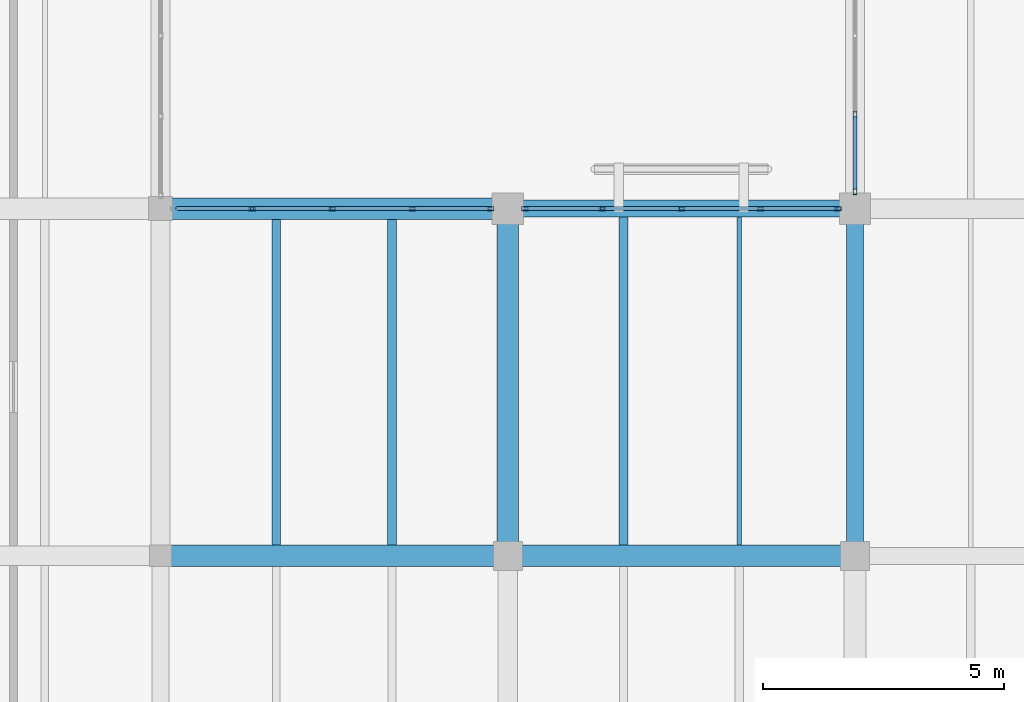
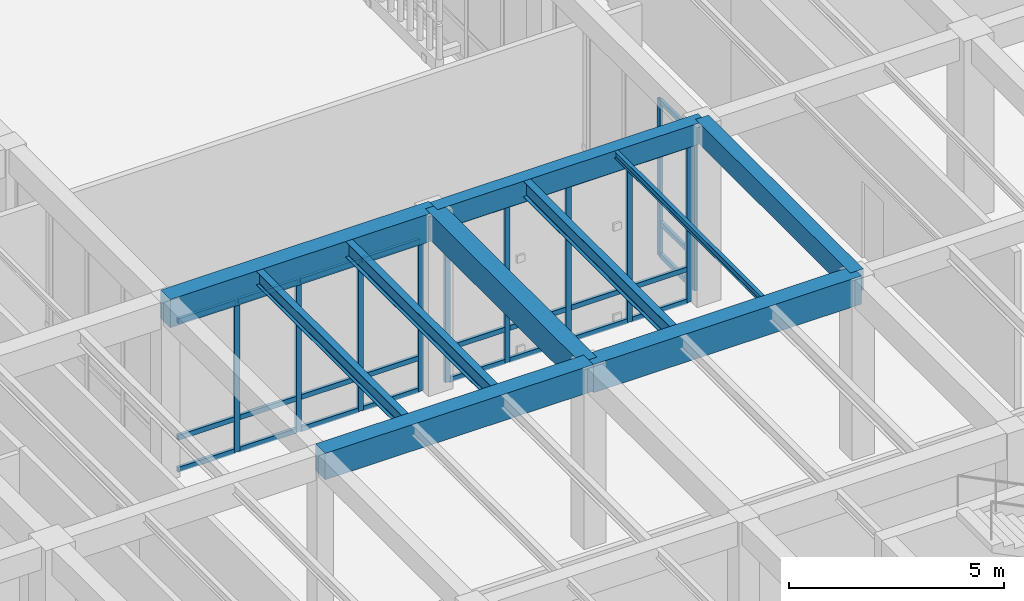
# One storey, part 27 of 169: 38 members, 10 beams, 3 elements without a shape of their own.
"""IFC4 building model written with IfcOpenShell, lengths in metres."""

from ifc_helpers import new_model, si_unit, direction, frame, origin, origin_2d, place, context, subcontext, project, spatial, rectangle, hollow_rectangle, i_section, extrude, material, layer, layer_set, material_profile, profile_set, type_object, element, aggregate, save


model = new_model("IFC4")

# Units and contexts
model_context = context("Model", 3, precision=1e-05, world=origin(), true_north=direction((0.0, 1.0)))
body_context = subcontext(model_context, "Body", "Model", "MODEL_VIEW")
ifc_project = project(units=[si_unit("LENGTHUNIT", "METRE"), si_unit("AREAUNIT", "SQUARE_METRE"), si_unit("VOLUMEUNIT", "CUBIC_METRE"), si_unit("PLANEANGLEUNIT", "RADIAN"), si_unit("MASSUNIT", "GRAM", prefix="KILO")], contexts=[model_context])

# Site, building, storey
site_placement = place(None, origin())
site = spatial("IfcSite", under=ifc_project, at=site_placement, CompositionType="ELEMENT")
building_placement = place(site_placement, origin())
building = spatial("IfcBuilding", under=site, at=building_placement, Name="Mazaris Harbour Polytechnic", CompositionType="ELEMENT")
storey_placement = place(building_placement, origin())
storey = spatial("IfcBuildingStorey", under=building, at=storey_placement, Name="L00", CompositionType="ELEMENT", Elevation=0.0)

# Curtain wall, members
ifc_material_1 = material(Name="Anodised Bronze Aluminium and Low-E Glass", Category="aluminium")
ifc_layer = layer(ifc_material_1, 0.159912109375, Name="Anodised Bronze Aluminium and Low-E Glass")
ifc_layer_set = layer_set([ifc_layer], Name="Anodised Bronze Aluminium and Low-E Glass")
curtain_wall_type = type_object("IfcCurtainWallType", Name="Cloister Court Curtain Wall", PredefinedType="NOTDEFINED", material=ifc_layer_set)
curtain_wall_1_placement = place(storey_placement, origin())
curtain_wall_1 = element("IfcCurtainWall", 1, at=curtain_wall_1_placement, inside=storey, type_object=curtain_wall_type, Name="V4 L00 Curtain Wall 99", PredefinedType="NOTDEFINED")
ifc_material_2 = material(Name="Anodised Bronze Steel S355", Category="steel")
ifc_material_profile_1 = material_profile(ifc_material_2, hollow_rectangle(XDim=0.080078125, YDim=0.139892578125, WallThickness=0.00634765625, at=origin_2d()), Name="RHS 80x140x6.3")
ifc_profile_set_1 = profile_set([ifc_material_profile_1], Name="Anodised Bronze Steel S355")
member_type_1 = type_object("IfcMemberType", Name="Curtain Mullion RHS80x140", PredefinedType="MULLION", material=ifc_profile_set_1)
member_1_placement = place(storey_placement, frame((16.30224609375, 36.0, 0.0), z_axis=(0.0, 0.0, 1.0), x_axis=(0.0, 1.0, 0.0)))
member_1 = element("IfcMember", 2, at=member_1_placement, type_object=member_type_1, Name="CW-02 mullion 2", PredefinedType="MULLION", context=body_context, shape_type="SweptSolid", body=[
    extrude(hollow_rectangle(XDim=0.080078125, YDim=0.139892578125, WallThickness=0.00634765625, at=origin_2d()), origin(), (0.0, 0.0, 1.0), 4.2900390625),
])
member_2_placement = place(storey_placement, frame((17.96240234375, 36.0, 0.0), z_axis=(0.0, 0.0, 1.0), x_axis=(0.0, 1.0, 0.0)))
member_2 = element("IfcMember", 3, at=member_2_placement, type_object=member_type_1, Name="CW-02 mullion 3", PredefinedType="MULLION", context=body_context, shape_type="SweptSolid", body=[
    extrude(hollow_rectangle(XDim=0.080078125, YDim=0.139892578125, WallThickness=0.00634765625, at=origin_2d()), origin(), (0.0, 0.0, 1.0), 4.2900390625),
])
member_3_placement = place(storey_placement, frame((19.622802734375, 36.0, 0.0), z_axis=(0.0, 0.0, 1.0), x_axis=(0.0, 1.0, 0.0)))
member_3 = element("IfcMember", 4, at=member_3_placement, type_object=member_type_1, Name="CW-02 mullion 4", PredefinedType="MULLION", context=body_context, shape_type="SweptSolid", body=[
    extrude(hollow_rectangle(XDim=0.080078125, YDim=0.139892578125, WallThickness=0.00634765625, at=origin_2d()), origin(), (0.0, 0.0, 1.0), 4.2900390625),
])
member_4_placement = place(storey_placement, frame((21.242919921875, 36.0, 0.0), z_axis=(0.0, 0.0, 1.0), x_axis=(0.0, 1.0, 0.0)))
member_4 = element("IfcMember", 5, at=member_4_placement, type_object=member_type_1, Name="CW-02 mullion 5", PredefinedType="MULLION", context=body_context, shape_type="SweptSolid", body=[
    extrude(hollow_rectangle(XDim=0.080078125, YDim=0.139892578125, WallThickness=0.00634765625, at=origin_2d()), origin(), (0.0, 0.0, 1.0), 4.2900390625),
])

curtain_wall_2_placement = place(storey_placement, origin())
curtain_wall_2 = element("IfcCurtainWall", 6, at=curtain_wall_2_placement, inside=storey, type_object=curtain_wall_type, Name="V4 L00 Curtain Wall 100", PredefinedType="NOTDEFINED")
member_5_placement = place(storey_placement, frame((21.95703125, 36.0, 0.0), z_axis=(0.0, 0.0, 1.0), x_axis=(0.0, 1.0, 0.0)))
member_5 = element("IfcMember", 7, at=member_5_placement, type_object=member_type_1, Name="CW-02 mullion 1", PredefinedType="MULLION", context=body_context, shape_type="SweptSolid", body=[
    extrude(hollow_rectangle(XDim=0.080078125, YDim=0.139892578125, WallThickness=0.00634765625, at=origin_2d()), origin(), (0.0, 0.0, 1.0), 4.489990234375),
])
member_6_placement = place(storey_placement, frame((23.55859375, 36.0, 0.0), z_axis=(0.0, 0.0, 1.0), x_axis=(0.0, 1.0, 0.0)))
member_6 = element("IfcMember", 8, at=member_6_placement, type_object=member_type_1, Name="CW-02 mullion 2", PredefinedType="MULLION", context=body_context, shape_type="SweptSolid", body=[
    extrude(hollow_rectangle(XDim=0.080078125, YDim=0.139892578125, WallThickness=0.00634765625, at=origin_2d()), origin(), (0.0, 0.0, 1.0), 4.489990234375),
])
member_7_placement = place(storey_placement, frame((25.199951171875, 36.0, 0.0), z_axis=(0.0, 0.0, 1.0), x_axis=(0.0, 1.0, 0.0)))
member_7 = element("IfcMember", 9, at=member_7_placement, type_object=member_type_1, Name="CW-02 mullion 3", PredefinedType="MULLION", context=body_context, shape_type="SweptSolid", body=[
    extrude(hollow_rectangle(XDim=0.080078125, YDim=0.139892578125, WallThickness=0.00634765625, at=origin_2d()), origin(), (0.0, 0.0, 1.0), 4.489990234375),
])
member_8_placement = place(storey_placement, frame((26.841552734375, 36.0, 0.0), z_axis=(0.0, 0.0, 1.0), x_axis=(0.0, 1.0, 0.0)))
member_8 = element("IfcMember", 10, at=member_8_placement, type_object=member_type_1, Name="CW-02 mullion 4", PredefinedType="MULLION", context=body_context, shape_type="SweptSolid", body=[
    extrude(hollow_rectangle(XDim=0.080078125, YDim=0.139892578125, WallThickness=0.00634765625, at=origin_2d()), origin(), (0.0, 0.0, 1.0), 4.489990234375),
])
member_9_placement = place(storey_placement, frame((28.443115234375, 36.0, 0.0), z_axis=(0.0, 0.0, 1.0), x_axis=(0.0, 1.0, 0.0)))
member_9 = element("IfcMember", 11, at=member_9_placement, type_object=member_type_1, Name="CW-02 mullion 5", PredefinedType="MULLION", context=body_context, shape_type="SweptSolid", body=[
    extrude(hollow_rectangle(XDim=0.080078125, YDim=0.139892578125, WallThickness=0.00634765625, at=origin_2d()), origin(), (0.0, 0.0, 1.0), 4.489990234375),
])

curtain_wall_3_placement = place(storey_placement, origin())
curtain_wall_3 = element("IfcCurtainWall", 12, at=curtain_wall_3_placement, inside=storey, type_object=curtain_wall_type, Name="V4 L00 Curtain Wall 107", PredefinedType="NOTDEFINED")
member_10_placement = place(storey_placement, frame((28.800048828125, 37.9521484375, 0.0), z_axis=(0.0, 0.0, 1.0), x_axis=(1.0, 0.0, 0.0)))
member_10 = element("IfcMember", 13, at=member_10_placement, type_object=member_type_1, Name="CW-02 mullion 4", PredefinedType="MULLION", context=body_context, shape_type="SweptSolid", body=[
    extrude(hollow_rectangle(XDim=0.080078125, YDim=0.139892578125, WallThickness=0.00634765625, at=origin_2d()), origin(), (0.0, 0.0, 1.0), 4.43994140625),
])
member_11_placement = place(storey_placement, frame((28.800048828125, 36.35693359375, 0.0), z_axis=(0.0, 0.0, 1.0), x_axis=(1.0, 0.0, 0.0)))
member_11 = element("IfcMember", 14, at=member_11_placement, type_object=member_type_1, Name="CW-02 mullion 5", PredefinedType="MULLION", context=body_context, shape_type="SweptSolid", body=[
    extrude(hollow_rectangle(XDim=0.080078125, YDim=0.139892578125, WallThickness=0.00634765625, at=origin_2d()), origin(), (0.0, 0.0, 1.0), 4.43994140625),
])

# Member
ifc_material_3 = material(Name="Anodised Bronze Steel S355", Category="steel")
ifc_material_profile_2 = material_profile(ifc_material_3, hollow_rectangle(XDim=0.080078125, YDim=0.139892578125, WallThickness=0.00634765625, at=origin_2d()), Name="RHS 80x140x6.3")
ifc_profile_set_2 = profile_set([ifc_material_profile_2], Name="Anodised Bronze Steel S355")
member_type_2 = type_object("IfcMemberType", Name="Curtain Transom RHS80x140", PredefinedType="USERDEFINED", material=ifc_profile_set_2)
member_12_placement = place(storey_placement, frame((14.721923828125, 36.0, 0.0400390625), z_axis=(1.0, 0.0, 0.0), x_axis=(0.0, 1.0, 0.0)))
member_12 = element("IfcMember", 15, at=member_12_placement, type_object=member_type_2, Name="CW-02 transom 1.1", ObjectType="TRANSOM", PredefinedType="USERDEFINED", context=body_context, shape_type="SweptSolid", body=[
    extrude(hollow_rectangle(XDim=0.080078125, YDim=0.139892578125, WallThickness=0.00634765625, at=origin_2d()), origin(), (0.0, 0.0, 1.0), 1.540283203125),
])

member_13_placement = place(storey_placement, frame((14.721923828125, 36.0, 0.949951171875), z_axis=(1.0, 0.0, 0.0), x_axis=(0.0, 1.0, 0.0)))
member_13 = element("IfcMember", 16, at=member_13_placement, type_object=member_type_2, Name="CW-02 transom 1.2", ObjectType="TRANSOM", PredefinedType="USERDEFINED", context=body_context, shape_type="SweptSolid", body=[
    extrude(hollow_rectangle(XDim=0.080078125, YDim=0.139892578125, WallThickness=0.00634765625, at=origin_2d()), origin(), (0.0, 0.0, 1.0), 1.540283203125),
])

member_14_placement = place(storey_placement, frame((14.721923828125, 36.0, 4.25), z_axis=(1.0, 0.0, 0.0), x_axis=(0.0, 1.0, 0.0)))
member_14 = element("IfcMember", 17, at=member_14_placement, type_object=member_type_2, Name="CW-02 transom 1.3", ObjectType="TRANSOM", PredefinedType="USERDEFINED", context=body_context, shape_type="SweptSolid", body=[
    extrude(hollow_rectangle(XDim=0.080078125, YDim=0.139892578125, WallThickness=0.00634765625, at=origin_2d()), origin(), (0.0, 0.0, 1.0), 1.540283203125),
])

member_15_placement = place(storey_placement, frame((16.34228515625, 36.0, 0.0400390625), z_axis=(1.0, 0.0, 0.0), x_axis=(0.0, 1.0, 0.0)))
member_15 = element("IfcMember", 18, at=member_15_placement, type_object=member_type_2, Name="CW-02 transom 2.1", ObjectType="TRANSOM", PredefinedType="USERDEFINED", context=body_context, shape_type="SweptSolid", body=[
    extrude(hollow_rectangle(XDim=0.080078125, YDim=0.139892578125, WallThickness=0.00634765625, at=origin_2d()), origin(), (0.0, 0.0, 1.0), 1.580322265625),
])

member_16_placement = place(storey_placement, frame((16.34228515625, 36.0, 0.949951171875), z_axis=(1.0, 0.0, 0.0), x_axis=(0.0, 1.0, 0.0)))
member_16 = element("IfcMember", 19, at=member_16_placement, type_object=member_type_2, Name="CW-02 transom 2.2", ObjectType="TRANSOM", PredefinedType="USERDEFINED", context=body_context, shape_type="SweptSolid", body=[
    extrude(hollow_rectangle(XDim=0.080078125, YDim=0.139892578125, WallThickness=0.00634765625, at=origin_2d()), origin(), (0.0, 0.0, 1.0), 1.580322265625),
])

member_17_placement = place(storey_placement, frame((16.34228515625, 36.0, 4.25), z_axis=(1.0, 0.0, 0.0), x_axis=(0.0, 1.0, 0.0)))
member_17 = element("IfcMember", 20, at=member_17_placement, type_object=member_type_2, Name="CW-02 transom 2.3", ObjectType="TRANSOM", PredefinedType="USERDEFINED", context=body_context, shape_type="SweptSolid", body=[
    extrude(hollow_rectangle(XDim=0.080078125, YDim=0.139892578125, WallThickness=0.00634765625, at=origin_2d()), origin(), (0.0, 0.0, 1.0), 1.580322265625),
])

member_18_placement = place(storey_placement, frame((18.00244140625, 36.0, 0.0400390625), z_axis=(1.0, 0.0, 0.0), x_axis=(0.0, 1.0, 0.0)))
member_18 = element("IfcMember", 21, at=member_18_placement, type_object=member_type_2, Name="CW-02 transom 3.1", ObjectType="TRANSOM", PredefinedType="USERDEFINED", context=body_context, shape_type="SweptSolid", body=[
    extrude(hollow_rectangle(XDim=0.080078125, YDim=0.139892578125, WallThickness=0.00634765625, at=origin_2d()), origin(), (0.0, 0.0, 1.0), 1.580322265625),
])

member_19_placement = place(storey_placement, frame((18.00244140625, 36.0, 0.949951171875), z_axis=(1.0, 0.0, 0.0), x_axis=(0.0, 1.0, 0.0)))
member_19 = element("IfcMember", 22, at=member_19_placement, type_object=member_type_2, Name="CW-02 transom 3.2", ObjectType="TRANSOM", PredefinedType="USERDEFINED", context=body_context, shape_type="SweptSolid", body=[
    extrude(hollow_rectangle(XDim=0.080078125, YDim=0.139892578125, WallThickness=0.00634765625, at=origin_2d()), origin(), (0.0, 0.0, 1.0), 1.580322265625),
])

member_20_placement = place(storey_placement, frame((18.00244140625, 36.0, 4.25), z_axis=(1.0, 0.0, 0.0), x_axis=(0.0, 1.0, 0.0)))
member_20 = element("IfcMember", 23, at=member_20_placement, type_object=member_type_2, Name="CW-02 transom 3.3", ObjectType="TRANSOM", PredefinedType="USERDEFINED", context=body_context, shape_type="SweptSolid", body=[
    extrude(hollow_rectangle(XDim=0.080078125, YDim=0.139892578125, WallThickness=0.00634765625, at=origin_2d()), origin(), (0.0, 0.0, 1.0), 1.580322265625),
])

member_21_placement = place(storey_placement, frame((19.662841796875, 36.0, 0.0400390625), z_axis=(1.0, 0.0, 0.0), x_axis=(0.0, 1.0, 0.0)))
member_21 = element("IfcMember", 24, at=member_21_placement, type_object=member_type_2, Name="CW-02 transom 4.1", ObjectType="TRANSOM", PredefinedType="USERDEFINED", context=body_context, shape_type="SweptSolid", body=[
    extrude(hollow_rectangle(XDim=0.080078125, YDim=0.139892578125, WallThickness=0.00634765625, at=origin_2d()), origin(), (0.0, 0.0, 1.0), 1.5400390625),
])

member_22_placement = place(storey_placement, frame((19.662841796875, 36.0, 0.949951171875), z_axis=(1.0, 0.0, 0.0), x_axis=(0.0, 1.0, 0.0)))
member_22 = element("IfcMember", 25, at=member_22_placement, type_object=member_type_2, Name="CW-02 transom 4.2", ObjectType="TRANSOM", PredefinedType="USERDEFINED", context=body_context, shape_type="SweptSolid", body=[
    extrude(hollow_rectangle(XDim=0.080078125, YDim=0.139892578125, WallThickness=0.00634765625, at=origin_2d()), origin(), (0.0, 0.0, 1.0), 1.5400390625),
])

member_23_placement = place(storey_placement, frame((19.662841796875, 36.0, 4.25), z_axis=(1.0, 0.0, 0.0), x_axis=(0.0, 1.0, 0.0)))
member_23 = element("IfcMember", 26, at=member_23_placement, type_object=member_type_2, Name="CW-02 transom 4.3", ObjectType="TRANSOM", PredefinedType="USERDEFINED", context=body_context, shape_type="SweptSolid", body=[
    extrude(hollow_rectangle(XDim=0.080078125, YDim=0.139892578125, WallThickness=0.00634765625, at=origin_2d()), origin(), (0.0, 0.0, 1.0), 1.5400390625),
])

aggregate(curtain_wall_1, [member_1, member_2, member_3, member_4, member_12, member_13, member_14, member_15, member_16, member_17, member_18, member_19, member_20, member_21, member_22, member_23])

member_24_placement = place(storey_placement, frame((21.9970703125, 36.0, 0.0400390625), z_axis=(1.0, 0.0, 0.0), x_axis=(0.0, 1.0, 0.0)))
member_24 = element("IfcMember", 27, at=member_24_placement, type_object=member_type_2, Name="CW-02 transom 1.1", ObjectType="TRANSOM", PredefinedType="USERDEFINED", context=body_context, shape_type="SweptSolid", body=[
    extrude(hollow_rectangle(XDim=0.080078125, YDim=0.139892578125, WallThickness=0.00634765625, at=origin_2d()), origin(), (0.0, 0.0, 1.0), 1.521484375),
])

member_25_placement = place(storey_placement, frame((21.9970703125, 36.0, 0.949951171875), z_axis=(1.0, 0.0, 0.0), x_axis=(0.0, 1.0, 0.0)))
member_25 = element("IfcMember", 28, at=member_25_placement, type_object=member_type_2, Name="CW-02 transom 1.2", ObjectType="TRANSOM", PredefinedType="USERDEFINED", context=body_context, shape_type="SweptSolid", body=[
    extrude(hollow_rectangle(XDim=0.080078125, YDim=0.139892578125, WallThickness=0.00634765625, at=origin_2d()), origin(), (0.0, 0.0, 1.0), 1.521484375),
])

member_26_placement = place(storey_placement, frame((21.9970703125, 36.0, 4.449951171875), z_axis=(1.0, 0.0, 0.0), x_axis=(0.0, 1.0, 0.0)))
member_26 = element("IfcMember", 29, at=member_26_placement, type_object=member_type_2, Name="CW-02 transom 1.3", ObjectType="TRANSOM", PredefinedType="USERDEFINED", context=body_context, shape_type="SweptSolid", body=[
    extrude(hollow_rectangle(XDim=0.080078125, YDim=0.139892578125, WallThickness=0.00634765625, at=origin_2d()), origin(), (0.0, 0.0, 1.0), 1.521484375),
])

member_27_placement = place(storey_placement, frame((23.598388671875, 36.0, 0.0400390625), z_axis=(1.0, 0.0, 0.0), x_axis=(0.0, 1.0, 0.0)))
member_27 = element("IfcMember", 30, at=member_27_placement, type_object=member_type_2, Name="CW-02 transom 2.1", ObjectType="TRANSOM", PredefinedType="USERDEFINED", context=body_context, shape_type="SweptSolid", body=[
    extrude(hollow_rectangle(XDim=0.080078125, YDim=0.139892578125, WallThickness=0.00634765625, at=origin_2d()), origin(), (0.0, 0.0, 1.0), 1.5615234375),
])

member_28_placement = place(storey_placement, frame((23.598388671875, 36.0, 0.949951171875), z_axis=(1.0, 0.0, 0.0), x_axis=(0.0, 1.0, 0.0)))
member_28 = element("IfcMember", 31, at=member_28_placement, type_object=member_type_2, Name="CW-02 transom 2.2", ObjectType="TRANSOM", PredefinedType="USERDEFINED", context=body_context, shape_type="SweptSolid", body=[
    extrude(hollow_rectangle(XDim=0.080078125, YDim=0.139892578125, WallThickness=0.00634765625, at=origin_2d()), origin(), (0.0, 0.0, 1.0), 1.5615234375),
])

member_29_placement = place(storey_placement, frame((23.598388671875, 36.0, 4.449951171875), z_axis=(1.0, 0.0, 0.0), x_axis=(0.0, 1.0, 0.0)))
member_29 = element("IfcMember", 32, at=member_29_placement, type_object=member_type_2, Name="CW-02 transom 2.3", ObjectType="TRANSOM", PredefinedType="USERDEFINED", context=body_context, shape_type="SweptSolid", body=[
    extrude(hollow_rectangle(XDim=0.080078125, YDim=0.139892578125, WallThickness=0.00634765625, at=origin_2d()), origin(), (0.0, 0.0, 1.0), 1.5615234375),
])

member_30_placement = place(storey_placement, frame((25.239990234375, 36.0, 0.0400390625), z_axis=(1.0, 0.0, 0.0), x_axis=(0.0, 1.0, 0.0)))
member_30 = element("IfcMember", 33, at=member_30_placement, type_object=member_type_2, Name="CW-02 transom 3.1", ObjectType="TRANSOM", PredefinedType="USERDEFINED", context=body_context, shape_type="SweptSolid", body=[
    extrude(hollow_rectangle(XDim=0.080078125, YDim=0.139892578125, WallThickness=0.00634765625, at=origin_2d()), origin(), (0.0, 0.0, 1.0), 1.5615234375),
])

member_31_placement = place(storey_placement, frame((25.239990234375, 36.0, 0.949951171875), z_axis=(1.0, 0.0, 0.0), x_axis=(0.0, 1.0, 0.0)))
member_31 = element("IfcMember", 34, at=member_31_placement, type_object=member_type_2, Name="CW-02 transom 3.2", ObjectType="TRANSOM", PredefinedType="USERDEFINED", context=body_context, shape_type="SweptSolid", body=[
    extrude(hollow_rectangle(XDim=0.080078125, YDim=0.139892578125, WallThickness=0.00634765625, at=origin_2d()), origin(), (0.0, 0.0, 1.0), 1.5615234375),
])

member_32_placement = place(storey_placement, frame((25.239990234375, 36.0, 4.449951171875), z_axis=(1.0, 0.0, 0.0), x_axis=(0.0, 1.0, 0.0)))
member_32 = element("IfcMember", 35, at=member_32_placement, type_object=member_type_2, Name="CW-02 transom 3.3", ObjectType="TRANSOM", PredefinedType="USERDEFINED", context=body_context, shape_type="SweptSolid", body=[
    extrude(hollow_rectangle(XDim=0.080078125, YDim=0.139892578125, WallThickness=0.00634765625, at=origin_2d()), origin(), (0.0, 0.0, 1.0), 1.5615234375),
])

member_33_placement = place(storey_placement, frame((26.881591796875, 36.0, 0.0400390625), z_axis=(1.0, 0.0, 0.0), x_axis=(0.0, 1.0, 0.0)))
member_33 = element("IfcMember", 36, at=member_33_placement, type_object=member_type_2, Name="CW-02 transom 4.1", ObjectType="TRANSOM", PredefinedType="USERDEFINED", context=body_context, shape_type="SweptSolid", body=[
    extrude(hollow_rectangle(XDim=0.080078125, YDim=0.139892578125, WallThickness=0.00634765625, at=origin_2d()), origin(), (0.0, 0.0, 1.0), 1.521484375),
])

member_34_placement = place(storey_placement, frame((26.881591796875, 36.0, 0.949951171875), z_axis=(1.0, 0.0, 0.0), x_axis=(0.0, 1.0, 0.0)))
member_34 = element("IfcMember", 37, at=member_34_placement, type_object=member_type_2, Name="CW-02 transom 4.2", ObjectType="TRANSOM", PredefinedType="USERDEFINED", context=body_context, shape_type="SweptSolid", body=[
    extrude(hollow_rectangle(XDim=0.080078125, YDim=0.139892578125, WallThickness=0.00634765625, at=origin_2d()), origin(), (0.0, 0.0, 1.0), 1.521484375),
])

member_35_placement = place(storey_placement, frame((26.881591796875, 36.0, 4.449951171875), z_axis=(1.0, 0.0, 0.0), x_axis=(0.0, 1.0, 0.0)))
member_35 = element("IfcMember", 38, at=member_35_placement, type_object=member_type_2, Name="CW-02 transom 4.3", ObjectType="TRANSOM", PredefinedType="USERDEFINED", context=body_context, shape_type="SweptSolid", body=[
    extrude(hollow_rectangle(XDim=0.080078125, YDim=0.139892578125, WallThickness=0.00634765625, at=origin_2d()), origin(), (0.0, 0.0, 1.0), 1.521484375),
])

aggregate(curtain_wall_2, [member_5, member_6, member_7, member_8, member_9, member_24, member_25, member_26, member_27, member_28, member_29, member_30, member_31, member_32, member_33, member_34, member_35])

member_36_placement = place(storey_placement, frame((28.800048828125, 37.912353515625, 0.0400390625), z_axis=(0.0, -1.0, 0.0), x_axis=(1.0, 0.0, 0.0)))
member_36 = element("IfcMember", 39, at=member_36_placement, type_object=member_type_2, Name="CW-02 transom 4.1", ObjectType="TRANSOM", PredefinedType="USERDEFINED", context=body_context, shape_type="SweptSolid", body=[
    extrude(hollow_rectangle(XDim=0.080078125, YDim=0.139892578125, WallThickness=0.00634765625, at=origin_2d()), origin(), (0.0, 0.0, 1.0), 1.515380859375),
])

member_37_placement = place(storey_placement, frame((28.800048828125, 37.912353515625, 0.949951171875), z_axis=(0.0, -1.0, 0.0), x_axis=(1.0, 0.0, 0.0)))
member_37 = element("IfcMember", 40, at=member_37_placement, type_object=member_type_2, Name="CW-02 transom 4.2", ObjectType="TRANSOM", PredefinedType="USERDEFINED", context=body_context, shape_type="SweptSolid", body=[
    extrude(hollow_rectangle(XDim=0.080078125, YDim=0.139892578125, WallThickness=0.00634765625, at=origin_2d()), origin(), (0.0, 0.0, 1.0), 1.515380859375),
])

member_38_placement = place(storey_placement, frame((28.800048828125, 37.912353515625, 4.39990234375), z_axis=(0.0, -1.0, 0.0), x_axis=(1.0, 0.0, 0.0)))
member_38 = element("IfcMember", 41, at=member_38_placement, type_object=member_type_2, Name="CW-02 transom 4.3", ObjectType="TRANSOM", PredefinedType="USERDEFINED", context=body_context, shape_type="SweptSolid", body=[
    extrude(hollow_rectangle(XDim=0.080078125, YDim=0.139892578125, WallThickness=0.00634765625, at=origin_2d()), origin(), (0.0, 0.0, 1.0), 1.515380859375),
])

aggregate(curtain_wall_3, [member_10, member_11, member_36, member_37, member_38])

# Beams
ifc_material_4 = material(Name="Concrete C35/45", Category="concrete")
ifc_material_profile_3 = material_profile(ifc_material_4, rectangle(XDim=0.35009765625, YDim=0.60009765625, at=origin_2d()), Name="RECT350x600")
ifc_profile_set_3 = profile_set([ifc_material_profile_3], Name="Concrete C35/45")
beam_type_1 = type_object("IfcBeamType", Name="RC Girder 350x600", PredefinedType="BEAM", material=ifc_profile_set_3)
for number, where, z_axis, x_axis, name in (
    (42, (21.60009765625, 36.0, 4.800048828125), (1.0, 0.0, 0.0), (0.0, 1.0, 0.0), "V4 L00 Girder 1380"),
    (43, (28.800048828125, 28.800048828125, 4.800048828125), (0.0, 1.0, 0.0), (-1.0, 0.0, 0.0), "V4 L00 Tie Girder 1470"),
):
    element("IfcBeam", number, at=place(storey_placement, frame(where, z_axis=z_axis, x_axis=x_axis)), inside=storey, type_object=beam_type_1, Name=name, PredefinedType="BEAM", context=body_context, shape_type="SweptSolid", body=[
        extrude(rectangle(XDim=0.35009765625, YDim=0.60009765625, at=origin_2d()), origin(), (0.0, 0.0, 1.0), 7.199951171875),
    ])
ifc_material_5 = material(Name="Concrete C40/50", Category="concrete")
ifc_material_profile_4 = material_profile(ifc_material_5, rectangle(XDim=0.449951171875, YDim=0.75, at=origin_2d()), Name="RECT450x750")
ifc_profile_set_4 = profile_set([ifc_material_profile_4], Name="Concrete C40/50")
beam_type_2 = type_object("IfcBeamType", Name="RC Girder 450x750", PredefinedType="BEAM", material=ifc_profile_set_4)
beam_1_placement = place(storey_placement, frame((14.39990234375, 28.800048828125, 4.72509765625), z_axis=(1.0, 0.0, 0.0), x_axis=(0.0, 1.0, 0.0)))
element("IfcBeam", 44, at=beam_1_placement, inside=storey, type_object=beam_type_2, Name="V4 L00 Girder 1373", PredefinedType="BEAM", context=body_context, shape_type="SweptSolid", body=[
    extrude(rectangle(XDim=0.449951171875, YDim=0.75, at=origin_2d()), origin(), (0.0, 0.0, 1.0), 7.2001953125),
])
beam_2_placement = place(storey_placement, frame((21.60009765625, 28.800048828125, 4.72509765625), z_axis=(0.0, 1.0, 0.0), x_axis=(-1.0, 0.0, 0.0)))
element("IfcBeam", 45, at=beam_2_placement, inside=storey, type_object=beam_type_2, Name="V4 L00 Tie Girder 1463", PredefinedType="BEAM", context=body_context, shape_type="SweptSolid", body=[
    extrude(rectangle(XDim=0.449951171875, YDim=0.75, at=origin_2d()), origin(), (0.0, 0.0, 1.0), 7.199951171875),
])
ifc_material_6 = material(Name="Concrete C40/50", Category="concrete")
ifc_material_profile_5 = material_profile(ifc_material_6, rectangle(XDim=0.449951171875, YDim=0.800048828125, at=origin_2d()), Name="RECT450x800")
ifc_profile_set_5 = profile_set([ifc_material_profile_5], Name="Concrete C40/50")
beam_type_3 = type_object("IfcBeamType", Name="RC Girder 450x800", PredefinedType="BEAM", material=ifc_profile_set_5)
beam_3_placement = place(storey_placement, frame((21.60009765625, 28.800048828125, 4.699951171875), z_axis=(1.0, 0.0, 0.0), x_axis=(0.0, 1.0, 0.0)))
element("IfcBeam", 46, at=beam_3_placement, inside=storey, type_object=beam_type_3, Name="V4 L00 Girder 1374", PredefinedType="BEAM", context=body_context, shape_type="SweptSolid", body=[
    extrude(rectangle(XDim=0.449951171875, YDim=0.800048828125, at=origin_2d()), origin(), (0.0, 0.0, 1.0), 7.199951171875),
])
beam_4_placement = place(storey_placement, frame((14.39990234375, 36.0, 4.699951171875), z_axis=(1.0, 0.0, 0.0), x_axis=(0.0, 1.0, 0.0)))
element("IfcBeam", 47, at=beam_4_placement, inside=storey, type_object=beam_type_3, Name="V4 L00 Girder 1379", PredefinedType="BEAM", context=body_context, shape_type="SweptSolid", body=[
    extrude(rectangle(XDim=0.449951171875, YDim=0.800048828125, at=origin_2d()), origin(), (0.0, 0.0, 1.0), 7.2001953125),
])
ifc_material_7 = material(Name="Steel S355", Category="steel")
ifc_material_profile_6 = material_profile(ifc_material_7, i_section(OverallWidth=0.10009765625, OverallDepth=0.199951171875, WebThickness=0.005615234375, FlangeThickness=0.008544921875, FilletRadius=0.011962890625, at=origin_2d()), Name="IPE 200")
ifc_profile_set_6 = profile_set([ifc_material_profile_6], Name="Steel S355")
beam_type_4 = type_object("IfcBeamType", Name="Steel Joist IPE200", PredefinedType="JOIST", material=ifc_profile_set_6)
beam_5_placement = place(storey_placement, frame((26.39990234375, 29.02490234375, 5.0), z_axis=(0.0, 1.0, 0.0), x_axis=(-1.0, 0.0, 0.0)))
element("IfcBeam", 48, at=beam_5_placement, inside=storey, type_object=beam_type_4, Name="V4 L00 Floor Joist 1568", PredefinedType="JOIST", context=body_context, shape_type="SweptSolid", body=[
    extrude(i_section(OverallWidth=0.10009765625, OverallDepth=0.199951171875, WebThickness=0.005615234375, FlangeThickness=0.008544921875, FilletRadius=0.011962890625, at=origin_2d()), origin(), (0.0, 0.0, 1.0), 6.800048828125),
])
ifc_material_8 = material(Name="Steel S355", Category="steel")
ifc_material_profile_7 = material_profile(ifc_material_8, i_section(OverallWidth=0.179931640625, OverallDepth=0.39990234375, WebThickness=0.008544921875, FlangeThickness=0.013427734375, FilletRadius=0.02099609375, at=origin_2d()), Name="IPE 400")
ifc_profile_set_7 = profile_set([ifc_material_profile_7], Name="Steel S355")
beam_type_5 = type_object("IfcBeamType", Name="Steel Joist IPE400", PredefinedType="JOIST", material=ifc_profile_set_7)
beam_6_placement = place(storey_placement, frame((16.800048828125, 29.02490234375, 4.89990234375), z_axis=(0.0, 1.0, 0.0), x_axis=(-1.0, 0.0, 0.0)))
element("IfcBeam", 49, at=beam_6_placement, inside=storey, type_object=beam_type_5, Name="V4 L00 Floor Joist 1552", PredefinedType="JOIST", context=body_context, shape_type="SweptSolid", body=[
    extrude(i_section(OverallWidth=0.179931640625, OverallDepth=0.39990234375, WebThickness=0.008544921875, FlangeThickness=0.013427734375, FilletRadius=0.02099609375, at=origin_2d()), origin(), (0.0, 0.0, 1.0), 6.75),
])
ifc_material_9 = material(Name="Steel S355", Category="steel")
ifc_material_profile_8 = material_profile(ifc_material_9, i_section(OverallWidth=0.18994140625, OverallDepth=0.449951171875, WebThickness=0.009521484375, FlangeThickness=0.0146484375, FilletRadius=0.02099609375, at=origin_2d()), Name="IPE 450")
ifc_profile_set_8 = profile_set([ifc_material_profile_8], Name="Steel S355")
beam_type_6 = type_object("IfcBeamType", Name="Steel Joist IPE450", PredefinedType="JOIST", material=ifc_profile_set_8)
beam_7_placement = place(storey_placement, frame((19.199951171875, 29.02490234375, 4.875), z_axis=(0.0, 1.0, 0.0), x_axis=(-1.0, 0.0, 0.0)))
element("IfcBeam", 50, at=beam_7_placement, inside=storey, type_object=beam_type_6, Name="V4 L00 Floor Joist 1553", PredefinedType="JOIST", context=body_context, shape_type="SweptSolid", body=[
    extrude(i_section(OverallWidth=0.18994140625, OverallDepth=0.449951171875, WebThickness=0.009521484375, FlangeThickness=0.0146484375, FilletRadius=0.02099609375, at=origin_2d()), origin(), (0.0, 0.0, 1.0), 6.75),
])
beam_8_placement = place(storey_placement, frame((24.0, 29.02490234375, 4.875), z_axis=(0.0, 1.0, 0.0), x_axis=(-1.0, 0.0, 0.0)))
element("IfcBeam", 51, at=beam_8_placement, inside=storey, type_object=beam_type_6, Name="V4 L00 Floor Joist 1567", PredefinedType="JOIST", context=body_context, shape_type="SweptSolid", body=[
    extrude(i_section(OverallWidth=0.18994140625, OverallDepth=0.449951171875, WebThickness=0.009521484375, FlangeThickness=0.0146484375, FilletRadius=0.02099609375, at=origin_2d()), origin(), (0.0, 0.0, 1.0), 6.800048828125),
])

save(model, "model.ifc")
